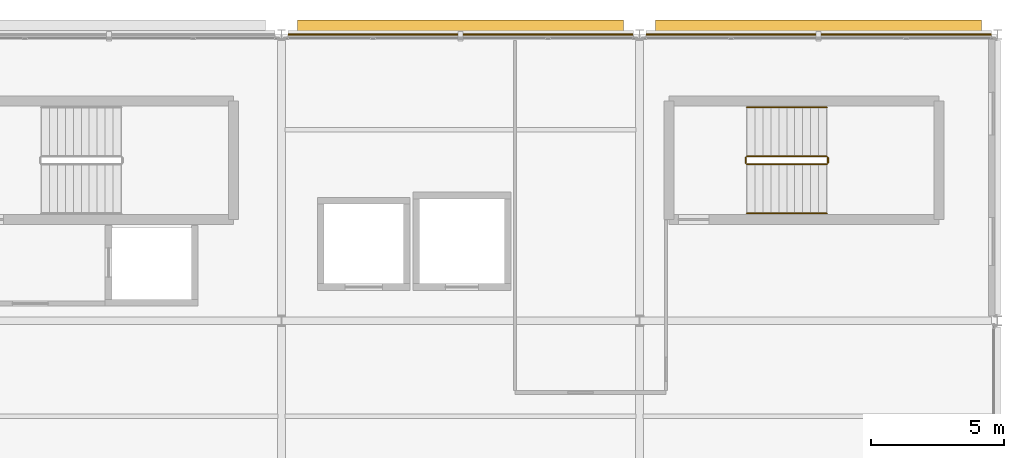
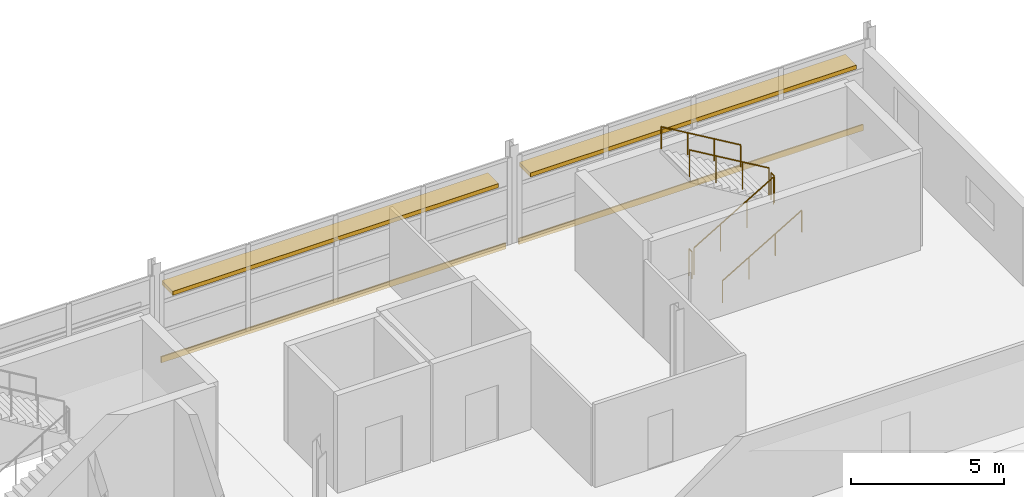
# One storey, part 33 of 33: 6 railings, 2 coverings, 2 shading devices.
"""IFC4 building model written with IfcOpenShell, lengths in metres."""

from ifc_helpers import new_model, si_unit, direction, frame, origin, origin_2d, place, context, subcontext, project, spatial, rectangle, circle, extrude, material, layer, layer_set, type_object, element, save


model = new_model("IFC4")

# Units and contexts
model_context = context("Model", 3, precision=1e-05, world=origin(), true_north=direction((0.0, 1.0)))
body_context = subcontext(model_context, "Body", "Model", "MODEL_VIEW")
ifc_project = project(units=[si_unit("LENGTHUNIT", "METRE"), si_unit("AREAUNIT", "SQUARE_METRE"), si_unit("VOLUMEUNIT", "CUBIC_METRE"), si_unit("PLANEANGLEUNIT", "RADIAN"), si_unit("MASSUNIT", "GRAM", prefix="KILO")], contexts=[model_context])

# Site, building, storey
site_placement = place(None, origin())
site = spatial("IfcSite", under=ifc_project, at=site_placement, CompositionType="ELEMENT")
building_placement = place(site_placement, origin())
building = spatial("IfcBuilding", under=site, at=building_placement, Name="Tamarisk Ironworks Central Station", CompositionType="ELEMENT")
storey_placement = place(building_placement, frame((0.0, 0.0, 21.300048828125)))
storey = spatial("IfcBuildingStorey", under=building, at=storey_placement, Name="L04", CompositionType="ELEMENT", Elevation=21.300048828125)

# Coverings
ifc_material_1 = material(Name="Clay facing brickwork and mortar", Category="masonry")
ifc_layer = layer(ifc_material_1, 0.050048828125)
ifc_layer_set = layer_set([ifc_layer], Name="Clay facing brickwork and mortar")
covering_type = type_object("IfcCoveringType", Name="COV-CLAD", PredefinedType="CLADDING", material=ifc_layer_set)
for number, where, z_axis, x_axis, name in (
    (1, (159.75, 122.389892578125, -0.240234375), (0.0, 0.0, 1.0), (1.0, 0.0, 0.0), "L04 terracotta slab-edge spandrel cladding 022"),
    (2, (173.25, 122.389892578125, -0.240234375), (0.0, 0.0, 1.0), (1.0, 0.0, 0.0), "L04 terracotta slab-edge spandrel cladding 023"),
):
    element("IfcCovering", number, at=place(storey_placement, frame(where, z_axis=z_axis, x_axis=x_axis)), inside=storey, type_object=covering_type, Name=name, PredefinedType="CLADDING", context=body_context, shape_type="SweptSolid", body=[
        extrude(rectangle(XDim=13.0, YDim=0.050048828125, at=origin_2d()), origin(), (0.0, 0.0, 1.0), 0.239990234375),
    ])

# Railings
ifc_material_2 = material(Name="Brushed stainless steel AISI 316", Category="steel")
railing_type_1 = type_object("IfcRailingType", Name="RL-GUARD-INT", PredefinedType="BALUSTRADE", material=ifc_material_2)
railing_1_placement = place(storey_placement, frame((170.550048828125, 117.5, 0.17724609375)))
element("IfcRailing", 3, at=railing_1_placement, inside=storey, type_object=railing_type_1, Name="L04 ST-C2 stair guard 1", PredefinedType="BALUSTRADE", context=body_context, shape_type="SweptSolid", body=[
    extrude(circle(Radius=0.02392578125, at=origin_2d()), frame((0.0, 0.0, 1.076171875), z_axis=(0.86092931783, 0.0, 0.508724591208), x_axis=(0.0, 1.0, 0.0)), (0.0, 0.0, 1.0), 3.484619140625),
    extrude(circle(Radius=0.02099609375, at=origin_2d()), origin(), (0.0, 0.0, 1.0), 1.052001953125),
    extrude(circle(Radius=0.02099609375, at=origin_2d()), frame((1.0, 0.0, 0.5908203125)), (0.0, 0.0, 1.0), 1.052001953125),
    extrude(circle(Radius=0.02099609375, at=origin_2d()), frame((2.0, 0.0, 1.181884765625)), (0.0, 0.0, 1.0), 1.052001953125),
    extrude(circle(Radius=0.02099609375, at=origin_2d()), frame((3.0, 0.0, 1.772705078125)), (0.0, 0.0, 1.0), 1.052001953125),
])
railing_2_placement = place(storey_placement, frame((173.60009765625, 117.550048828125, 1.949951171875)))
element("IfcRailing", 4, at=railing_2_placement, inside=storey, type_object=railing_type_1, Name="L04 ST-C2 stair guard 2", PredefinedType="BALUSTRADE", context=body_context, shape_type="SweptSolid", body=[
    extrude(circle(Radius=0.02392578125, at=origin_2d()), frame((0.0, 0.0, 1.076171875), z_axis=(0.0, 1.0, 0.0), x_axis=(-1.0, 0.0, 0.0)), (0.0, 0.0, 1.0), 0.199951171875),
    extrude(circle(Radius=0.02099609375, at=origin_2d()), origin(), (0.0, 0.0, 1.0), 1.052001953125),
    extrude(circle(Radius=0.02099609375, at=origin_2d()), frame((0.0, 0.199951171875, 0.0)), (0.0, 0.0, 1.0), 1.052001953125),
])
railing_3_placement = place(storey_placement, frame((173.550048828125, 117.800048828125, 2.127197265625)))
element("IfcRailing", 5, at=railing_3_placement, inside=storey, type_object=railing_type_1, Name="L04 ST-C2 stair guard 3", PredefinedType="BALUSTRADE", context=body_context, shape_type="SweptSolid", body=[
    extrude(circle(Radius=0.02392578125, at=origin_2d()), frame((0.0, 0.0, 1.076171875), z_axis=(-0.86092931783, 0.0, 0.508724591208), x_axis=(0.0, -1.0, 0.0)), (0.0, 0.0, 1.0), 3.484619140625),
    extrude(circle(Radius=0.02099609375, at=origin_2d()), origin(), (0.0, 0.0, 1.0), 1.052001953125),
    extrude(circle(Radius=0.02099609375, at=origin_2d()), frame((-1.0, 0.0, 0.5908203125)), (0.0, 0.0, 1.0), 1.052001953125),
    extrude(circle(Radius=0.02099609375, at=origin_2d()), frame((-2.0, 0.0, 1.181884765625)), (0.0, 0.0, 1.0), 1.052001953125),
    extrude(circle(Radius=0.02099609375, at=origin_2d()), frame((-3.0, 0.0, 1.772705078125)), (0.0, 0.0, 1.0), 1.052001953125),
])
railing_4_placement = place(storey_placement, frame((170.5, 117.550048828125, 0.0)))
element("IfcRailing", 6, at=railing_4_placement, inside=storey, type_object=railing_type_1, Name="L04 ST-C2 stair guard 4", PredefinedType="BALUSTRADE", context=body_context, shape_type="SweptSolid", body=[
    extrude(circle(Radius=0.02392578125, at=origin_2d()), frame((0.0, 0.0, 1.076171875), z_axis=(0.0, 1.0, 0.0), x_axis=(-1.0, 0.0, 0.0)), (0.0, 0.0, 1.0), 0.199951171875),
    extrude(circle(Radius=0.02099609375, at=origin_2d()), origin(), (0.0, 0.0, 1.0), 1.052001953125),
    extrude(circle(Radius=0.02099609375, at=origin_2d()), frame((0.0, 0.199951171875, 0.0)), (0.0, 0.0, 1.0), 1.052001953125),
])
railing_type_2 = type_object("IfcRailingType", Name="RL-HAND", PredefinedType="HANDRAIL", material=ifc_material_2)
railing_5_placement = place(storey_placement, frame((170.550048828125, 115.64990234375, 0.17724609375)))
element("IfcRailing", 7, at=railing_5_placement, inside=storey, type_object=railing_type_2, Name="L04 ST-C2 stair handrail 1", PredefinedType="HANDRAIL", context=body_context, shape_type="SweptSolid", body=[
    extrude(circle(Radius=0.02392578125, at=origin_2d()), frame((0.0, 0.0, 0.8759765625), z_axis=(0.86092931783, 0.0, 0.508724591208), x_axis=(0.0, 1.0, 0.0)), (0.0, 0.0, 1.0), 3.484619140625),
    extrude(circle(Radius=0.02099609375, at=origin_2d()), origin(), (0.0, 0.0, 1.0), 0.851806640625),
    extrude(circle(Radius=0.02099609375, at=origin_2d()), frame((1.0, 0.0, 0.5908203125)), (0.0, 0.0, 1.0), 0.851806640625),
    extrude(circle(Radius=0.02099609375, at=origin_2d()), frame((2.0, 0.0, 1.181884765625)), (0.0, 0.0, 1.0), 0.851806640625),
    extrude(circle(Radius=0.02099609375, at=origin_2d()), frame((3.0, 0.0, 1.772705078125)), (0.0, 0.0, 1.0), 0.851806640625),
])
railing_6_placement = place(storey_placement, frame((173.550048828125, 119.64990234375, 2.127197265625)))
element("IfcRailing", 8, at=railing_6_placement, inside=storey, type_object=railing_type_2, Name="L04 ST-C2 stair handrail 2", PredefinedType="HANDRAIL", context=body_context, shape_type="SweptSolid", body=[
    extrude(circle(Radius=0.02392578125, at=origin_2d()), frame((0.0, 0.0, 0.8759765625), z_axis=(-0.86092931783, 0.0, 0.508724591208), x_axis=(0.0, -1.0, 0.0)), (0.0, 0.0, 1.0), 3.484619140625),
    extrude(circle(Radius=0.02099609375, at=origin_2d()), origin(), (0.0, 0.0, 1.0), 0.851806640625),
    extrude(circle(Radius=0.02099609375, at=origin_2d()), frame((-1.0, 0.0, 0.5908203125)), (0.0, 0.0, 1.0), 0.851806640625),
    extrude(circle(Radius=0.02099609375, at=origin_2d()), frame((-2.0, 0.0, 1.181884765625)), (0.0, 0.0, 1.0), 0.851806640625),
    extrude(circle(Radius=0.02099609375, at=origin_2d()), frame((-3.0, 0.0, 1.772705078125)), (0.0, 0.0, 1.0), 0.851806640625),
])

# Shading devices
ifc_material_3 = material(Name="Anodized aluminium alloy 6063-T6", Category="aluminium")
shading_device_type = type_object("IfcShadingDeviceType", Name="SHD-LV02", PredefinedType="JALOUSIE", material=ifc_material_3)
for number, where, z_axis, x_axis, name in (
    (9, (159.75, 122.580078125, 2.419921875), (0.0, 0.0, 1.0), (1.0, 0.0, 0.0), "L04 north horizontal solar jalousie canopy 014"),
    (10, (173.25, 122.580078125, 2.419921875), (0.0, 0.0, 1.0), (1.0, 0.0, 0.0), "L04 north horizontal solar jalousie canopy 015"),
):
    element("IfcShadingDevice", number, at=place(storey_placement, frame(where, z_axis=z_axis, x_axis=x_axis)), inside=storey, type_object=shading_device_type, Name=name, PredefinedType="JALOUSIE", context=body_context, shape_type="SweptSolid", body=[
        extrude(rectangle(XDim=12.300048828125, YDim=0.719970703125, at=origin_2d()), origin(), (0.0, 0.0, 1.0), 0.159912109375),
    ])

save(model, "model.ifc")
